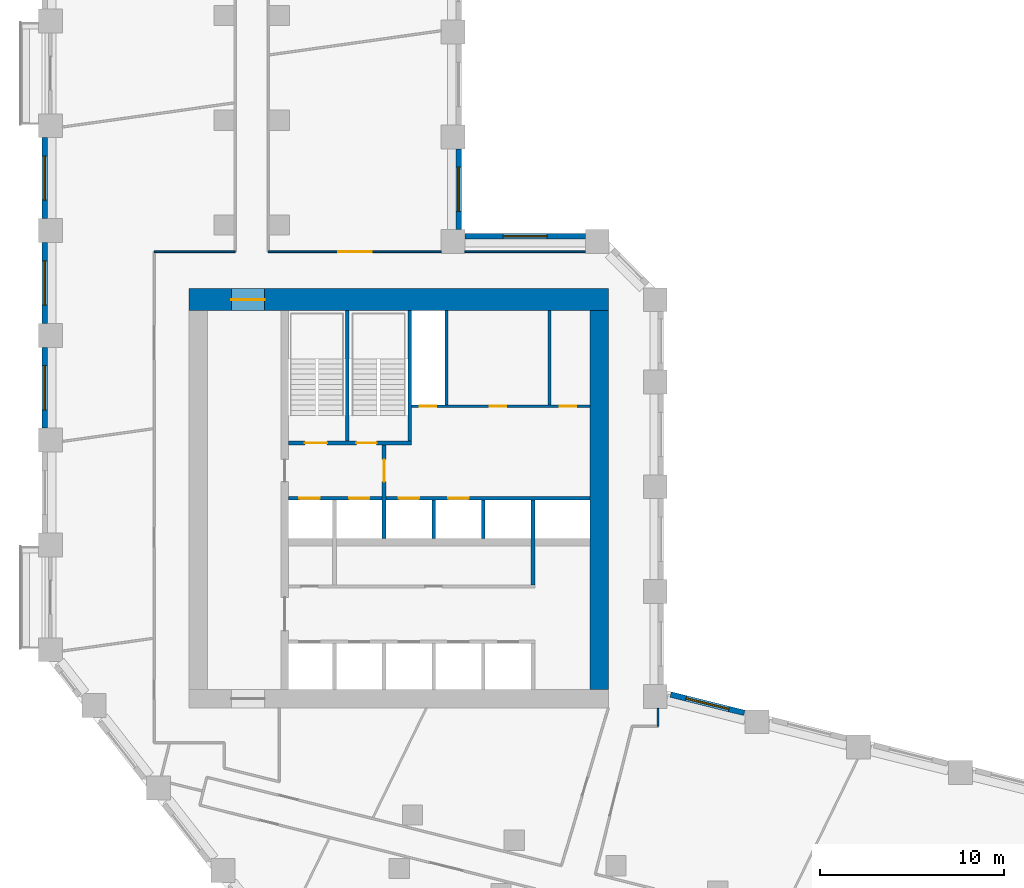
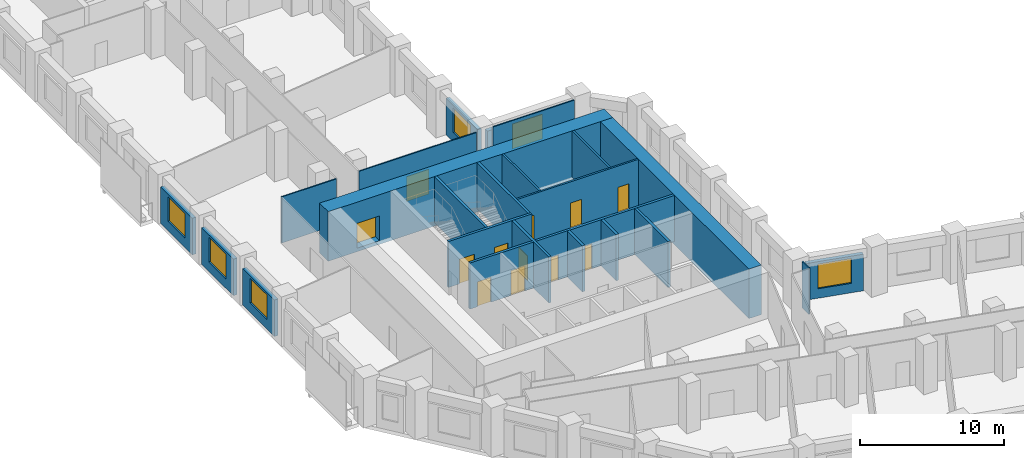
# One storey, part 5 of 11: 23 walls, 12 doors, 6 windows, 18 openings.
"""IFC4 building model written with IfcOpenShell, lengths in metres."""

from ifc_helpers import new_model, si_unit, direction, frame, frame_2d, origin, place, context, subcontext, project, spatial, rectangle, extrude, material, layer, layer_set, type_object, element, fill, save


model = new_model("IFC4")

# Units and contexts
model_context = context("Model", 3, precision=1e-05, world=origin(), true_north=direction((0.0, 1.0)))
body_context = subcontext(model_context, "Body", "Model", "MODEL_VIEW")
ifc_project = project(units=[si_unit("LENGTHUNIT", "METRE"), si_unit("AREAUNIT", "SQUARE_METRE"), si_unit("VOLUMEUNIT", "CUBIC_METRE"), si_unit("PLANEANGLEUNIT", "RADIAN"), si_unit("MASSUNIT", "GRAM", prefix="KILO")], contexts=[model_context])

# Site, building, storey
site_placement = place(None, origin())
site = spatial("IfcSite", under=ifc_project, at=site_placement, CompositionType="ELEMENT")
building_placement = place(site_placement, origin())
building = spatial("IfcBuilding", under=site, at=building_placement, Name="Meshkara Civic Tower", CompositionType="ELEMENT")
storey_placement = place(building_placement, frame((0.0, 0.0, 105.60009765625)))
storey = spatial("IfcBuildingStorey", under=building, at=storey_placement, Name="L23", CompositionType="ELEMENT", Elevation=105.60009765625)

# Wall, openings, doors
ifc_material_1 = material(Name="Blockwork", Category="masonry")
ifc_layer_1 = layer(ifc_material_1, 0.14990234375)
ifc_layer_set_1 = layer_set([ifc_layer_1], Name="Core partition 150")
wall_type_1 = type_object("IfcWallType", Name="Core partition 150", PredefinedType="PARTITIONING", material=ifc_layer_set_1)
wall_1_placement = place(storey_placement, frame((20.10009765625, 30.5, 0.0), z_axis=(0.0, 0.0, 1.0), x_axis=(1.0, 0.0, 0.0)))
wall_1 = element("IfcWall", 1, at=wall_1_placement, inside=storey, type_object=wall_type_1, Name="L23-C010", PredefinedType="PARTITIONING", context=body_context, shape_type="SweptSolid", body=[
    extrude(rectangle(XDim=9.699951171875, YDim=0.14990234375, at=frame_2d((4.85009765625, 0.0))), origin(), (0.0, 0.0, 1.0), 3.89990234375),
])
opening_1_placement = place(wall_1_placement, frame((0.449951171875, 0.0, 0.0)))
opening_1 = element("IfcOpeningElement", 2, at=opening_1_placement, cuts=wall_1, Name="Opening L23-K012", PredefinedType="OPENING", context=body_context, shape_type="SweptSolid", body=[
    extrude(rectangle(XDim=0.89990234375, YDim=2.10009765625, at=frame_2d((0.449951171875, 1.050048828125))), frame((0.0, 0.0849609375, 0.0), z_axis=(0.0, -1.0, 0.0), x_axis=(1.0, 0.0, 0.0)), (0.0, 0.0, 1.0), 0.169921875),
])
opening_2_placement = place(wall_1_placement, frame((4.25, 0.0, 0.0)))
opening_2 = element("IfcOpeningElement", 3, at=opening_2_placement, cuts=wall_1, Name="Opening L23-K013", PredefinedType="OPENING", context=body_context, shape_type="SweptSolid", body=[
    extrude(rectangle(XDim=0.89990234375, YDim=2.10009765625, at=frame_2d((0.449951171875, 1.050048828125))), frame((0.0, 0.0849609375, 0.0), z_axis=(0.0, -1.0, 0.0), x_axis=(1.0, 0.0, 0.0)), (0.0, 0.0, 1.0), 0.169921875),
])
opening_3_placement = place(wall_1_placement, frame((8.050048828125, 0.0, 0.0)))
opening_3 = element("IfcOpeningElement", 4, at=opening_3_placement, cuts=wall_1, Name="Opening L23-K014", PredefinedType="OPENING", context=body_context, shape_type="SweptSolid", body=[
    extrude(rectangle(XDim=0.89990234375, YDim=2.10009765625, at=frame_2d((0.449951171875, 1.050048828125))), frame((0.0, 0.0849609375, 0.0), z_axis=(0.0, -1.0, 0.0), x_axis=(1.0, 0.0, 0.0)), (0.0, 0.0, 1.0), 0.169921875),
])
ifc_material_2 = material(Name="Timber door leaf in steel frame", Category="steel")
door_type_1 = type_object("IfcDoorType", Name="Core room door 900", OperationType="SINGLE_SWING_LEFT", PredefinedType="DOOR", material=ifc_material_2)
door_1_placement = place(opening_2_placement, origin())
door_1 = element("IfcDoor", 5, at=door_1_placement, inside=storey, type_object=door_type_1, Name="L23-K013", OperationType="SINGLE_SWING_RIGHT", OverallHeight=2.10009765625, OverallWidth=0.89990234375, PredefinedType="DOOR", context=body_context, shape_type="SweptSolid", body=[
    extrude(rectangle(XDim=0.89990234375, YDim=2.10009765625, at=frame_2d((0.449951171875, 1.050048828125))), frame((0.0, 0.02490234375, 0.0), z_axis=(0.0, -1.0, 0.0), x_axis=(1.0, 0.0, 0.0)), (0.0, 0.0, 1.0), 0.050048828125),
])
fill(opening_2, door_1)
door_2_placement = place(opening_3_placement, origin())
door_2 = element("IfcDoor", 6, at=door_2_placement, inside=storey, type_object=door_type_1, Name="L23-K014", OperationType="SINGLE_SWING_RIGHT", OverallHeight=2.10009765625, OverallWidth=0.89990234375, PredefinedType="DOOR", context=body_context, shape_type="SweptSolid", body=[
    extrude(rectangle(XDim=0.89990234375, YDim=2.10009765625, at=frame_2d((0.449951171875, 1.050048828125))), frame((0.0, 0.02490234375, 0.0), z_axis=(0.0, -1.0, 0.0), x_axis=(1.0, 0.0, 0.0)), (0.0, 0.0, 1.0), 0.050048828125),
])
fill(opening_3, door_2)
ifc_material_3 = material(Name="Fire-rated door leaf in steel frame", Category="steel")
door_type_2 = type_object("IfcDoorType", Name="Riser door 900", OperationType="SINGLE_SWING_LEFT", PredefinedType="DOOR", material=ifc_material_3)
door_3_placement = place(opening_1_placement, origin())
door_3 = element("IfcDoor", 7, at=door_3_placement, inside=storey, type_object=door_type_2, Name="L23-K012", OperationType="SINGLE_SWING_RIGHT", OverallHeight=2.10009765625, OverallWidth=0.89990234375, PredefinedType="DOOR", context=body_context, shape_type="SweptSolid", body=[
    extrude(rectangle(XDim=0.89990234375, YDim=2.10009765625, at=frame_2d((0.449951171875, 1.050048828125))), frame((0.0, 0.02490234375, 0.0), z_axis=(0.0, -1.0, 0.0), x_axis=(1.0, 0.0, 0.0)), (0.0, 0.0, 1.0), 0.050048828125),
])
fill(opening_1, door_3)

# Walls
for number, where, z_axis, x_axis, name in (
    (8, (22.0, 30.574951171875, 0.0), (0.0, 0.0, 1.0), (0.0, 1.0, 0.0), "L23-C020"),
    (9, (27.60009765625, 30.574951171875, 0.0), (0.0, 0.0, 1.0), (0.0, 1.0, 0.0), "L23-C025"),
):
    element("IfcWall", number, at=place(storey_placement, frame(where, z_axis=z_axis, x_axis=x_axis)), inside=storey, type_object=wall_type_1, Name=name, PredefinedType="PARTITIONING", context=body_context, shape_type="SweptSolid", body=[
        extrude(rectangle(XDim=5.125, YDim=0.14990234375, at=frame_2d((2.5625, 0.0))), origin(), (0.0, 0.0, 1.0), 3.89990234375),
    ])
ifc_material_4 = material(Name="Concrete C70", Category="concrete")
ifc_layer_2 = layer(ifc_material_4, 1.0)
ifc_layer_set_2 = layer_set([ifc_layer_2], Name="Core ring wall 1000 C70")
wall_type_2 = type_object("IfcWallType", Name="Core ring wall 1000 C70", PredefinedType="SHEAR", material=ifc_layer_set_2)
wall_2_placement = place(storey_placement, frame((30.300048828125, 15.10009765625, -0.300048828125), z_axis=(0.0, 0.0, 1.0), x_axis=(0.0, 1.0, 0.0)))
element("IfcWall", 10, at=wall_2_placement, inside=storey, type_object=wall_type_2, Name="L23-C004", PredefinedType="SHEAR", context=body_context, shape_type="SweptSolid", body=[
    extrude(rectangle(XDim=20.599853515625, YDim=1.0, at=frame_2d((10.2998046875, 0.0))), origin(), (0.0, 0.0, 1.0), 4.199951171875),
])

# Wall, opening, door
ifc_material_5 = material(Name="Concrete C70", Category="concrete")
ifc_layer_3 = layer(ifc_material_5, 1.199951171875)
ifc_layer_set_3 = layer_set([ifc_layer_3], Name="Core ring wall 1200 C70")
wall_type_3 = type_object("IfcWallType", Name="Core ring wall 1200 C70", PredefinedType="SHEAR", material=ifc_layer_set_3)
wall_3_placement = place(storey_placement, frame((8.0, 36.300048828125, -0.300048828125), z_axis=(0.0, 0.0, 1.0), x_axis=(1.0, 0.0, 0.0)))
wall_3 = element("IfcWall", 11, at=wall_3_placement, inside=storey, type_object=wall_type_3, Name="L23-C002", PredefinedType="SHEAR", context=body_context, shape_type="SweptSolid", body=[
    extrude(rectangle(XDim=22.800048828125, YDim=1.199951171875, at=frame_2d((11.39990234375, 0.0))), origin(), (0.0, 0.0, 1.0), 4.199951171875),
])
opening_4_placement = place(wall_3_placement, frame((2.300048828125, 0.0, 0.300048828125)))
opening_4 = element("IfcOpeningElement", 12, at=opening_4_placement, cuts=wall_3, Name="Opening L23-K020", PredefinedType="OPENING", context=body_context, shape_type="SweptSolid", body=[
    extrude(rectangle(XDim=1.800048828125, YDim=2.10009765625, at=frame_2d((0.89990234375, 1.050048828125))), frame((0.0, 0.60986328125, 0.0), z_axis=(0.0, -1.0, 0.0), x_axis=(1.0, 0.0, 0.0)), (0.0, 0.0, 1.0), 1.219970703125),
])
ifc_material_6 = material(Name="Fire-rated door leaf in steel frame", Category="steel")
door_type_3 = type_object("IfcDoorType", Name="Core double door 1800 EI 60", OperationType="DOUBLE_DOOR_SINGLE_SWING", PredefinedType="DOOR", material=ifc_material_6)
door_4_placement = place(opening_4_placement, origin())
door_4 = element("IfcDoor", 13, at=door_4_placement, inside=storey, type_object=door_type_3, Name="L23-K020", OperationType="DOUBLE_DOOR_SINGLE_SWING", OverallHeight=2.10009765625, OverallWidth=1.800048828125, PredefinedType="DOOR", context=body_context, shape_type="SweptSolid", body=[
    extrude(rectangle(XDim=1.800048828125, YDim=2.10009765625, at=frame_2d((0.89990234375, 1.050048828125))), frame((0.0, 0.02490234375, 0.0), z_axis=(0.0, -1.0, 0.0), x_axis=(1.0, 0.0, 0.0)), (0.0, 0.0, 1.0), 0.050048828125),
])
fill(opening_4, door_4)

# Wall
ifc_material_7 = material(Name="Corridor wall 100")
ifc_layer_4 = layer(ifc_material_7, 0.10009765625)
ifc_layer_set_4 = layer_set([ifc_layer_4], Name="Corridor wall 100")
wall_type_4 = type_object("IfcWallType", Name="Corridor wall 100", PredefinedType="PARTITIONING", material=ifc_layer_set_4)
wall_4_placement = place(storey_placement, frame((10.5, 38.89990234375, 0.0), z_axis=(0.0, 0.0, 1.0), x_axis=(-1.0, 0.0, 0.0)))
element("IfcWall", 14, at=wall_4_placement, inside=storey, type_object=wall_type_4, Name="L23-W011", PredefinedType="PARTITIONING", context=body_context, shape_type="SweptSolid", body=[
    extrude(rectangle(XDim=4.39990234375, YDim=0.10009765625, at=frame_2d((2.199951171875, 0.0))), origin(), (0.0, 0.0, 1.0), 3.89990234375),
])

# Wall, opening, door
wall_5_placement = place(storey_placement, frame((21.699951171875, 38.89990234375, 0.0), z_axis=(0.0, 0.0, 1.0), x_axis=(-1.0, 0.0, 0.0)))
wall_5 = element("IfcWall", 15, at=wall_5_placement, inside=storey, type_object=wall_type_4, Name="L23-W018", PredefinedType="PARTITIONING", context=body_context, shape_type="SweptSolid", body=[
    extrude(rectangle(XDim=9.39990234375, YDim=0.10009765625, at=frame_2d((4.699951171875, 0.0))), origin(), (0.0, 0.0, 1.0), 3.89990234375),
])
opening_5_placement = place(wall_5_placement, frame((3.780029296875, 0.0, 0.0)))
opening_5 = element("IfcOpeningElement", 16, at=opening_5_placement, cuts=wall_5, Name="Opening L23-D021", PredefinedType="OPENING", context=body_context, shape_type="SweptSolid", body=[
    extrude(rectangle(XDim=1.800048828125, YDim=2.10009765625, at=frame_2d((0.89990234375, 1.050048828125))), frame((0.0, 0.06005859375, 0.0), z_axis=(0.0, -1.0, 0.0), x_axis=(1.0, 0.0, 0.0)), (0.0, 0.0, 1.0), 0.1201171875),
])
ifc_material_8 = material(Name="Door pair 1800 x 2100")
door_type_4 = type_object("IfcDoorType", Name="Door pair 1800 x 2100", OperationType="SINGLE_SWING_LEFT", PredefinedType="DOOR", material=ifc_material_8)
door_5_placement = place(opening_5_placement, origin())
door_5 = element("IfcDoor", 17, at=door_5_placement, inside=storey, type_object=door_type_4, Name="L23-D021", OperationType="DOUBLE_DOOR_SINGLE_SWING", OverallHeight=2.10009765625, OverallWidth=1.800048828125, PredefinedType="DOOR", context=body_context, shape_type="SweptSolid", body=[
    extrude(rectangle(XDim=1.800048828125, YDim=2.10009765625, at=frame_2d((0.89990234375, 1.050048828125))), frame((0.0, 0.02490234375, 0.0), z_axis=(0.0, -1.0, 0.0), x_axis=(1.0, 0.0, 0.0)), (0.0, 0.0, 1.0), 0.050048828125),
])
fill(opening_5, door_5)

# Walls
wall_6_placement = place(storey_placement, frame((29.5439453125, 38.89990234375, 0.0), z_axis=(0.0, 0.0, 1.0), x_axis=(-1.0, 0.0, 0.0)))
element("IfcWall", 18, at=wall_6_placement, inside=storey, type_object=wall_type_4, Name="L23-W019", PredefinedType="PARTITIONING", context=body_context, shape_type="SweptSolid", body=[
    extrude(rectangle(XDim=6.5439453125, YDim=0.10009765625, at=frame_2d((3.27197265625, 0.0))), origin(), (0.0, 0.0, 1.0), 3.89990234375),
])
wall_7_placement = place(storey_placement, frame((33.5, 13.10009765625, 0.0), z_axis=(0.0, 0.0, 1.0), x_axis=(0.0, 1.0, 0.0)))
element("IfcWall", 19, at=wall_7_placement, inside=storey, type_object=wall_type_4, Name="L23-W024", PredefinedType="PARTITIONING", context=body_context, shape_type="SweptSolid", body=[
    extrude(rectangle(XDim=0.968994140625, YDim=0.10009765625, at=frame_2d((0.484375, 0.0))), origin(), (0.0, 0.0, 1.0), 3.89990234375),
])

# Wall, opening, window
ifc_material_9 = material(Name="Insulated infill panel with bronze anodised aluminium cladding", Category="aluminium")
ifc_layer_5 = layer(ifc_material_9, 0.300048828125)
ifc_layer_set_5 = layer_set([ifc_layer_5], Name="EXTERNAL INFILL WALL 300")
wall_type_5 = type_object("IfcWallType", Name="EXTERNAL INFILL WALL 300", PredefinedType="SOLIDWALL", material=ifc_layer_set_5)
wall_8_placement = place(storey_placement, frame((38.18896484375, 13.822021484375, 0.0), z_axis=(0.0, 0.0, 1.0), x_axis=(-0.970281616392, 0.241978480223, 0.0)))
wall_8 = element("IfcWall", 20, at=wall_8_placement, inside=storey, type_object=wall_type_5, Name="External wall", PredefinedType="SOLIDWALL", context=body_context, shape_type="SweptSolid", body=[
    extrude(rectangle(XDim=4.12451171875, YDim=0.300048828125, at=frame_2d((2.062255859375, 0.0))), origin(), (0.0, 0.0, 1.0), 3.099853515625),
])
opening_6_placement = place(wall_8_placement, frame((0.862060546875, 0.0, 0.800048828125)))
opening_6 = element("IfcOpeningElement", 21, at=opening_6_placement, cuts=wall_8, Name="Opening W7", PredefinedType="OPENING", context=body_context, shape_type="SweptSolid", body=[
    extrude(rectangle(XDim=2.39990234375, YDim=2.10009765625, at=frame_2d((1.199951171875, 1.050048828125))), frame((0.0, 0.159912109375, 0.0), z_axis=(0.0, -1.0, 0.0), x_axis=(1.0, 0.0, 0.0)), (0.0, 0.0, 1.0), 0.320068359375),
])
ifc_material_10 = material(Name="Tinted double glazing", Category="glass")
window_type = type_object("IfcWindowType", Name="WINDOW 2400x2100", PartitioningType="DOUBLE_PANEL_VERTICAL", PredefinedType="WINDOW", material=ifc_material_10)
window_1_placement = place(opening_6_placement, origin())
window_1 = element("IfcWindow", 22, at=window_1_placement, inside=storey, type_object=window_type, Name="Window", OverallHeight=2.10009765625, OverallWidth=2.39990234375, PartitioningType="DOUBLE_PANEL_VERTICAL", PredefinedType="WINDOW", context=body_context, shape_type="SweptSolid", body=[
    extrude(rectangle(XDim=2.39990234375, YDim=2.10009765625, at=frame_2d((1.199951171875, 1.050048828125))), frame((0.0, 0.030029296875, 0.0), z_axis=(0.0, -1.0, 0.0), x_axis=(1.0, 0.0, 0.0)), (0.0, 0.0, 1.0), 0.06005859375),
])
fill(opening_6, window_1)

wall_9_placement = place(storey_placement, frame((29.5439453125, 39.75, 0.0), z_axis=(0.0, 0.0, 1.0), x_axis=(-1.0, 0.0, 0.0)))
wall_9 = element("IfcWall", 23, at=wall_9_placement, inside=storey, type_object=wall_type_5, Name="External wall", PredefinedType="SOLIDWALL", context=body_context, shape_type="SweptSolid", body=[
    extrude(rectangle(XDim=6.5439453125, YDim=0.300048828125, at=frame_2d((3.27197265625, 0.0))), origin(), (0.0, 0.0, 1.0), 3.099853515625),
])
opening_7_placement = place(wall_9_placement, frame((2.072021484375, 0.0, 0.800048828125)))
opening_7 = element("IfcOpeningElement", 24, at=opening_7_placement, cuts=wall_9, Name="Opening W7", PredefinedType="OPENING", context=body_context, shape_type="SweptSolid", body=[
    extrude(rectangle(XDim=2.39990234375, YDim=2.10009765625, at=frame_2d((1.199951171875, 1.050048828125))), frame((0.0, 0.159912109375, 0.0), z_axis=(0.0, -1.0, 0.0), x_axis=(1.0, 0.0, 0.0)), (0.0, 0.0, 1.0), 0.320068359375),
])
window_2_placement = place(opening_7_placement, origin())
window_2 = element("IfcWindow", 25, at=window_2_placement, inside=storey, type_object=window_type, Name="Window", OverallHeight=2.10009765625, OverallWidth=2.39990234375, PartitioningType="DOUBLE_PANEL_VERTICAL", PredefinedType="WINDOW", context=body_context, shape_type="SweptSolid", body=[
    extrude(rectangle(XDim=2.39990234375, YDim=2.10009765625, at=frame_2d((1.199951171875, 1.050048828125))), frame((0.0, 0.030029296875, 0.0), z_axis=(0.0, -1.0, 0.0), x_axis=(1.0, 0.0, 0.0)), (0.0, 0.0, 1.0), 0.06005859375),
])
fill(opening_7, window_2)

wall_10_placement = place(storey_placement, frame((22.64990234375, 40.10009765625, 0.0), z_axis=(0.0, 0.0, 1.0), x_axis=(0.0, 1.0, 0.0)))
wall_10 = element("IfcWall", 26, at=wall_10_placement, inside=storey, type_object=wall_type_5, Name="External wall", PredefinedType="SOLIDWALL", context=body_context, shape_type="SweptSolid", body=[
    extrude(rectangle(XDim=4.39990234375, YDim=0.300048828125, at=frame_2d((2.199951171875, 0.0))), origin(), (0.0, 0.0, 1.0), 3.099853515625),
])
opening_8_placement = place(wall_10_placement, frame((1.0, 0.0, 0.800048828125)))
opening_8 = element("IfcOpeningElement", 27, at=opening_8_placement, cuts=wall_10, Name="Opening W7", PredefinedType="OPENING", context=body_context, shape_type="SweptSolid", body=[
    extrude(rectangle(XDim=2.39990234375, YDim=2.10009765625, at=frame_2d((1.199951171875, 1.050048828125))), frame((0.0, 0.159912109375, 0.0), z_axis=(0.0, -1.0, 0.0), x_axis=(1.0, 0.0, 0.0)), (0.0, 0.0, 1.0), 0.320068359375),
])
window_3_placement = place(opening_8_placement, origin())
window_3 = element("IfcWindow", 28, at=window_3_placement, inside=storey, type_object=window_type, Name="Window", OverallHeight=2.10009765625, OverallWidth=2.39990234375, PartitioningType="DOUBLE_PANEL_VERTICAL", PredefinedType="WINDOW", context=body_context, shape_type="SweptSolid", body=[
    extrude(rectangle(XDim=2.39990234375, YDim=2.10009765625, at=frame_2d((1.199951171875, 1.050048828125))), frame((0.0, 0.030029296875, 0.0), z_axis=(0.0, -1.0, 0.0), x_axis=(1.0, 0.0, 0.0)), (0.0, 0.0, 1.0), 0.06005859375),
])
fill(opening_8, window_3)

wall_11_placement = place(storey_placement, frame((0.14990234375, 45.10498046875, 0.0), z_axis=(0.0, 0.0, 1.0), x_axis=(0.0, -1.0, 0.0)))
wall_11 = element("IfcWall", 29, at=wall_11_placement, inside=storey, type_object=wall_type_5, Name="External wall", PredefinedType="SOLIDWALL", context=body_context, shape_type="SweptSolid", body=[
    extrude(rectangle(XDim=4.39990234375, YDim=0.300048828125, at=frame_2d((2.199951171875, 0.0))), origin(), (0.0, 0.0, 1.0), 3.099853515625),
])
opening_9_placement = place(wall_11_placement, frame((1.0, 0.0, 0.800048828125)))
opening_9 = element("IfcOpeningElement", 30, at=opening_9_placement, cuts=wall_11, Name="Opening W7", PredefinedType="OPENING", context=body_context, shape_type="SweptSolid", body=[
    extrude(rectangle(XDim=2.39990234375, YDim=2.10009765625, at=frame_2d((1.199951171875, 1.050048828125))), frame((0.0, 0.159912109375, 0.0), z_axis=(0.0, -1.0, 0.0), x_axis=(1.0, 0.0, 0.0)), (0.0, 0.0, 1.0), 0.320068359375),
])
window_4_placement = place(opening_9_placement, origin())
window_4 = element("IfcWindow", 31, at=window_4_placement, inside=storey, type_object=window_type, Name="Window", OverallHeight=2.10009765625, OverallWidth=2.39990234375, PartitioningType="DOUBLE_PANEL_VERTICAL", PredefinedType="WINDOW", context=body_context, shape_type="SweptSolid", body=[
    extrude(rectangle(XDim=2.39990234375, YDim=2.10009765625, at=frame_2d((1.199951171875, 1.050048828125))), frame((0.0, 0.030029296875, 0.0), z_axis=(0.0, -1.0, 0.0), x_axis=(1.0, 0.0, 0.0)), (0.0, 0.0, 1.0), 0.06005859375),
])
fill(opening_9, window_4)

wall_12_placement = place(storey_placement, frame((0.14990234375, 39.405029296875, 0.0), z_axis=(0.0, 0.0, 1.0), x_axis=(0.0, -1.0, 0.0)))
wall_12 = element("IfcWall", 32, at=wall_12_placement, inside=storey, type_object=wall_type_5, Name="External wall", PredefinedType="SOLIDWALL", context=body_context, shape_type="SweptSolid", body=[
    extrude(rectangle(XDim=4.400146484375, YDim=0.300048828125, at=frame_2d((2.2001953125, 0.0))), origin(), (0.0, 0.0, 1.0), 3.099853515625),
])
opening_10_placement = place(wall_12_placement, frame((1.0, 0.0, 0.800048828125)))
opening_10 = element("IfcOpeningElement", 33, at=opening_10_placement, cuts=wall_12, Name="Opening W7", PredefinedType="OPENING", context=body_context, shape_type="SweptSolid", body=[
    extrude(rectangle(XDim=2.39990234375, YDim=2.10009765625, at=frame_2d((1.199951171875, 1.050048828125))), frame((0.0, 0.159912109375, 0.0), z_axis=(0.0, -1.0, 0.0), x_axis=(1.0, 0.0, 0.0)), (0.0, 0.0, 1.0), 0.320068359375),
])
window_5_placement = place(opening_10_placement, origin())
window_5 = element("IfcWindow", 34, at=window_5_placement, inside=storey, type_object=window_type, Name="Window", OverallHeight=2.10009765625, OverallWidth=2.39990234375, PartitioningType="DOUBLE_PANEL_VERTICAL", PredefinedType="WINDOW", context=body_context, shape_type="SweptSolid", body=[
    extrude(rectangle(XDim=2.39990234375, YDim=2.10009765625, at=frame_2d((1.199951171875, 1.050048828125))), frame((0.0, 0.030029296875, 0.0), z_axis=(0.0, -1.0, 0.0), x_axis=(1.0, 0.0, 0.0)), (0.0, 0.0, 1.0), 0.06005859375),
])
fill(opening_10, window_5)

wall_13_placement = place(storey_placement, frame((0.14990234375, 33.705078125, 0.0), z_axis=(0.0, 0.0, 1.0), x_axis=(0.0, -1.0, 0.0)))
wall_13 = element("IfcWall", 35, at=wall_13_placement, inside=storey, type_object=wall_type_5, Name="External wall", PredefinedType="SOLIDWALL", context=body_context, shape_type="SweptSolid", body=[
    extrude(rectangle(XDim=4.400146484375, YDim=0.300048828125, at=frame_2d((2.2001953125, 0.0))), origin(), (0.0, 0.0, 1.0), 3.099853515625),
])
opening_11_placement = place(wall_13_placement, frame((1.0, 0.0, 0.800048828125)))
opening_11 = element("IfcOpeningElement", 36, at=opening_11_placement, cuts=wall_13, Name="Opening W7", PredefinedType="OPENING", context=body_context, shape_type="SweptSolid", body=[
    extrude(rectangle(XDim=2.39990234375, YDim=2.10009765625, at=frame_2d((1.199951171875, 1.050048828125))), frame((0.0, 0.159912109375, 0.0), z_axis=(0.0, -1.0, 0.0), x_axis=(1.0, 0.0, 0.0)), (0.0, 0.0, 1.0), 0.320068359375),
])
window_6_placement = place(opening_11_placement, origin())
window_6 = element("IfcWindow", 37, at=window_6_placement, inside=storey, type_object=window_type, Name="Window", OverallHeight=2.10009765625, OverallWidth=2.39990234375, PartitioningType="DOUBLE_PANEL_VERTICAL", PredefinedType="WINDOW", context=body_context, shape_type="SweptSolid", body=[
    extrude(rectangle(XDim=2.39990234375, YDim=2.10009765625, at=frame_2d((1.199951171875, 1.050048828125))), frame((0.0, 0.030029296875, 0.0), z_axis=(0.0, -1.0, 0.0), x_axis=(1.0, 0.0, 0.0)), (0.0, 0.0, 1.0), 0.06005859375),
])
fill(opening_11, window_6)

# Wall, openings, doors
ifc_material_11 = material(Name="Concrete C40/50", Category="concrete")
ifc_layer_6 = layer(ifc_material_11, 0.199951171875)
ifc_layer_set_6 = layer_set([ifc_layer_6], Name="Shaft wall 200 C40/50")
wall_type_6 = type_object("IfcWallType", Name="Shaft wall 200 C40/50", PredefinedType="SOLIDWALL", material=ifc_layer_set_6)
wall_14_placement = place(storey_placement, frame((13.39990234375, 25.5, 0.0), z_axis=(0.0, 0.0, 1.0), x_axis=(1.0, 0.0, 0.0)))
wall_14 = element("IfcWall", 38, at=wall_14_placement, inside=storey, type_object=wall_type_6, Name="L23-C008", PredefinedType="SOLIDWALL", context=body_context, shape_type="SweptSolid", body=[
    extrude(rectangle(XDim=16.400146484375, YDim=0.199951171875, at=frame_2d((8.2001953125, 0.0))), origin(), (0.0, 0.0, 1.0), 3.89990234375),
])
opening_12_placement = place(wall_14_placement, frame((0.60009765625, 0.0, 0.0)))
opening_12 = element("IfcOpeningElement", 39, at=opening_12_placement, cuts=wall_14, Name="Opening L23-K006", PredefinedType="OPENING", context=body_context, shape_type="SweptSolid", body=[
    extrude(rectangle(XDim=1.10009765625, YDim=2.10009765625, at=frame_2d((0.550048828125, 1.050048828125))), frame((0.0, 0.10986328125, 0.0), z_axis=(0.0, -1.0, 0.0), x_axis=(1.0, 0.0, 0.0)), (0.0, 0.0, 1.0), 0.219970703125),
])
opening_13_placement = place(wall_14_placement, frame((3.300048828125, 0.0, 0.0)))
opening_13 = element("IfcOpeningElement", 40, at=opening_13_placement, cuts=wall_14, Name="Opening L23-K007", PredefinedType="OPENING", context=body_context, shape_type="SweptSolid", body=[
    extrude(rectangle(XDim=1.10009765625, YDim=2.10009765625, at=frame_2d((0.550048828125, 1.050048828125))), frame((0.0, 0.10986328125, 0.0), z_axis=(0.0, -1.0, 0.0), x_axis=(1.0, 0.0, 0.0)), (0.0, 0.0, 1.0), 0.219970703125),
])
opening_14_placement = place(wall_14_placement, frame((6.0, 0.0, 0.0)))
opening_14 = element("IfcOpeningElement", 41, at=opening_14_placement, cuts=wall_14, Name="Opening L23-K008", PredefinedType="OPENING", context=body_context, shape_type="SweptSolid", body=[
    extrude(rectangle(XDim=1.10009765625, YDim=2.10009765625, at=frame_2d((0.550048828125, 1.050048828125))), frame((0.0, 0.10986328125, 0.0), z_axis=(0.0, -1.0, 0.0), x_axis=(1.0, 0.0, 0.0)), (0.0, 0.0, 1.0), 0.219970703125),
])
opening_15_placement = place(wall_14_placement, frame((8.699951171875, 0.0, 0.0)))
opening_15 = element("IfcOpeningElement", 42, at=opening_15_placement, cuts=wall_14, Name="Opening L23-K009", PredefinedType="OPENING", context=body_context, shape_type="SweptSolid", body=[
    extrude(rectangle(XDim=1.10009765625, YDim=2.10009765625, at=frame_2d((0.550048828125, 1.050048828125))), frame((0.0, 0.10986328125, 0.0), z_axis=(0.0, -1.0, 0.0), x_axis=(1.0, 0.0, 0.0)), (0.0, 0.0, 1.0), 0.219970703125),
])
ifc_material_12 = material(Name="Stainless steel landing door", Category="steel")
door_type_5 = type_object("IfcDoorType", Name="Lift landing door 1100", OperationType="SLIDING_TO_LEFT", PredefinedType="DOOR", material=ifc_material_12)
door_6_placement = place(opening_12_placement, origin())
door_6 = element("IfcDoor", 43, at=door_6_placement, inside=storey, type_object=door_type_5, Name="L23-K006", OperationType="SLIDING_TO_LEFT", OverallHeight=2.10009765625, OverallWidth=1.10009765625, PredefinedType="DOOR", context=body_context, shape_type="SweptSolid", body=[
    extrude(rectangle(XDim=1.10009765625, YDim=2.10009765625, at=frame_2d((0.550048828125, 1.050048828125))), frame((0.0, 0.02490234375, 0.0), z_axis=(0.0, -1.0, 0.0), x_axis=(1.0, 0.0, 0.0)), (0.0, 0.0, 1.0), 0.050048828125),
])
fill(opening_12, door_6)
door_7_placement = place(opening_13_placement, origin())
door_7 = element("IfcDoor", 44, at=door_7_placement, inside=storey, type_object=door_type_5, Name="L23-K007", OperationType="SLIDING_TO_LEFT", OverallHeight=2.10009765625, OverallWidth=1.10009765625, PredefinedType="DOOR", context=body_context, shape_type="SweptSolid", body=[
    extrude(rectangle(XDim=1.10009765625, YDim=2.10009765625, at=frame_2d((0.550048828125, 1.050048828125))), frame((0.0, 0.02490234375, 0.0), z_axis=(0.0, -1.0, 0.0), x_axis=(1.0, 0.0, 0.0)), (0.0, 0.0, 1.0), 0.050048828125),
])
fill(opening_13, door_7)
door_8_placement = place(opening_14_placement, origin())
door_8 = element("IfcDoor", 45, at=door_8_placement, inside=storey, type_object=door_type_5, Name="L23-K008", OperationType="SLIDING_TO_LEFT", OverallHeight=2.10009765625, OverallWidth=1.10009765625, PredefinedType="DOOR", context=body_context, shape_type="SweptSolid", body=[
    extrude(rectangle(XDim=1.10009765625, YDim=2.10009765625, at=frame_2d((0.550048828125, 1.050048828125))), frame((0.0, 0.02490234375, 0.0), z_axis=(0.0, -1.0, 0.0), x_axis=(1.0, 0.0, 0.0)), (0.0, 0.0, 1.0), 0.050048828125),
])
fill(opening_14, door_8)
door_9_placement = place(opening_15_placement, origin())
door_9 = element("IfcDoor", 46, at=door_9_placement, inside=storey, type_object=door_type_5, Name="L23-K009", OperationType="SLIDING_TO_LEFT", OverallHeight=2.10009765625, OverallWidth=1.10009765625, PredefinedType="DOOR", context=body_context, shape_type="SweptSolid", body=[
    extrude(rectangle(XDim=1.10009765625, YDim=2.10009765625, at=frame_2d((0.550048828125, 1.050048828125))), frame((0.0, 0.02490234375, 0.0), z_axis=(0.0, -1.0, 0.0), x_axis=(1.0, 0.0, 0.0)), (0.0, 0.0, 1.0), 0.050048828125),
])
fill(opening_15, door_9)

# Wall, opening, door
wall_15_placement = place(storey_placement, frame((18.60009765625, 23.300048828125, 0.0), z_axis=(0.0, 0.0, 1.0), x_axis=(0.0, 1.0, 0.0)))
wall_15 = element("IfcWall", 47, at=wall_15_placement, inside=storey, type_object=wall_type_6, Name="L23-C016", PredefinedType="SOLIDWALL", context=body_context, shape_type="SweptSolid", body=[
    extrude(rectangle(XDim=5.099853515625, YDim=0.199951171875, at=frame_2d((2.5498046875, 0.0))), origin(), (0.0, 0.0, 1.0), 3.89990234375),
])
opening_16_placement = place(wall_15_placement, frame((3.10009765625, 0.0, 0.0)))
opening_16 = element("IfcOpeningElement", 48, at=opening_16_placement, cuts=wall_15, Name="Opening L23-K019", PredefinedType="OPENING", context=body_context, shape_type="SweptSolid", body=[
    extrude(rectangle(XDim=1.199951171875, YDim=2.10009765625, at=frame_2d((0.60009765625, 1.050048828125))), frame((0.0, 0.10986328125, 0.0), z_axis=(0.0, -1.0, 0.0), x_axis=(1.0, 0.0, 0.0)), (0.0, 0.0, 1.0), 0.219970703125),
])
ifc_material_13 = material(Name="Fire-rated door leaf in steel frame", Category="steel")
door_type_6 = type_object("IfcDoorType", Name="Fire-fighting lobby door 1200 EI 120", OperationType="SINGLE_SWING_LEFT", PredefinedType="DOOR", material=ifc_material_13)
door_10_placement = place(opening_16_placement, origin())
door_10 = element("IfcDoor", 49, at=door_10_placement, inside=storey, type_object=door_type_6, Name="L23-K019", OperationType="SINGLE_SWING_RIGHT", OverallHeight=2.10009765625, OverallWidth=1.199951171875, PredefinedType="DOOR", context=body_context, shape_type="SweptSolid", body=[
    extrude(rectangle(XDim=1.199951171875, YDim=2.10009765625, at=frame_2d((0.60009765625, 1.050048828125))), frame((0.0, 0.02490234375, 0.0), z_axis=(0.0, -1.0, 0.0), x_axis=(1.0, 0.0, 0.0)), (0.0, 0.0, 1.0), 0.050048828125),
])
fill(opening_16, door_10)

# Walls
for number, where, z_axis, x_axis, name in (
    (50, (21.300048828125, 23.300048828125, 0.0), (0.0, 0.0, 1.0), (0.0, 1.0, 0.0), "L23-C019"),
    (51, (24.0, 23.300048828125, 0.0), (0.0, 0.0, 1.0), (0.0, 1.0, 0.0), "L23-C022"),
):
    element("IfcWall", number, at=place(storey_placement, frame(where, z_axis=z_axis, x_axis=x_axis)), inside=storey, type_object=wall_type_6, Name=name, PredefinedType="SOLIDWALL", context=body_context, shape_type="SweptSolid", body=[
        extrude(rectangle(XDim=2.099853515625, YDim=0.199951171875, at=frame_2d((1.0498046875, 0.0))), origin(), (0.0, 0.0, 1.0), 3.89990234375),
    ])
wall_16_placement = place(storey_placement, frame((26.699951171875, 20.77490234375, 0.0), z_axis=(0.0, 0.0, 1.0), x_axis=(0.0, 1.0, 0.0)))
element("IfcWall", 52, at=wall_16_placement, inside=storey, type_object=wall_type_6, Name="L23-C024", PredefinedType="SOLIDWALL", context=body_context, shape_type="SweptSolid", body=[
    extrude(rectangle(XDim=4.625, YDim=0.199951171875, at=frame_2d((2.3125, 0.0))), origin(), (0.0, 0.0, 1.0), 3.89990234375),
])

# Wall, openings, doors
ifc_material_14 = material(Name="Concrete C40/50", Category="concrete")
ifc_layer_7 = layer(ifc_material_14, 0.199951171875)
ifc_layer_set_7 = layer_set([ifc_layer_7], Name="Stair enclosure wall 200 C40/50")
wall_type_7 = type_object("IfcWallType", Name="Stair enclosure wall 200 C40/50", PredefinedType="SOLIDWALL", material=ifc_layer_set_7)
wall_17_placement = place(storey_placement, frame((13.39990234375, 28.5, 0.0), z_axis=(0.0, 0.0, 1.0), x_axis=(1.0, 0.0, 0.0)))
wall_17 = element("IfcWall", 53, at=wall_17_placement, inside=storey, type_object=wall_type_7, Name="L23-C009", PredefinedType="SOLIDWALL", context=body_context, shape_type="SweptSolid", body=[
    extrude(rectangle(XDim=6.7001953125, YDim=0.199951171875, at=frame_2d((3.35009765625, 0.0))), origin(), (0.0, 0.0, 1.0), 3.89990234375),
])
opening_17_placement = place(wall_17_placement, frame((0.89990234375, 0.0, 0.0)))
opening_17 = element("IfcOpeningElement", 54, at=opening_17_placement, cuts=wall_17, Name="Opening L23-K015", PredefinedType="OPENING", context=body_context, shape_type="SweptSolid", body=[
    extrude(rectangle(XDim=1.199951171875, YDim=2.10009765625, at=frame_2d((0.60009765625, 1.050048828125))), frame((0.0, 0.10986328125, 0.0), z_axis=(0.0, -1.0, 0.0), x_axis=(1.0, 0.0, 0.0)), (0.0, 0.0, 1.0), 0.219970703125),
])
opening_18_placement = place(wall_17_placement, frame((3.699951171875, 0.0, 0.0)))
opening_18 = element("IfcOpeningElement", 55, at=opening_18_placement, cuts=wall_17, Name="Opening L23-K016", PredefinedType="OPENING", context=body_context, shape_type="SweptSolid", body=[
    extrude(rectangle(XDim=1.10009765625, YDim=2.10009765625, at=frame_2d((0.550048828125, 1.050048828125))), frame((0.0, 0.10986328125, 0.0), z_axis=(0.0, -1.0, 0.0), x_axis=(1.0, 0.0, 0.0)), (0.0, 0.0, 1.0), 0.219970703125),
])
ifc_material_15 = material(Name="Fire-rated door leaf in steel frame", Category="steel")
door_type_7 = type_object("IfcDoorType", Name="Stair door 1100 EI 120", OperationType="SINGLE_SWING_LEFT", PredefinedType="DOOR", material=ifc_material_15)
door_11_placement = place(opening_18_placement, origin())
door_11 = element("IfcDoor", 56, at=door_11_placement, inside=storey, type_object=door_type_7, Name="L23-K016", OperationType="SINGLE_SWING_LEFT", OverallHeight=2.10009765625, OverallWidth=1.10009765625, PredefinedType="DOOR", context=body_context, shape_type="SweptSolid", body=[
    extrude(rectangle(XDim=1.10009765625, YDim=2.10009765625, at=frame_2d((0.550048828125, 1.050048828125))), frame((0.0, 0.02490234375, 0.0), z_axis=(0.0, -1.0, 0.0), x_axis=(1.0, 0.0, 0.0)), (0.0, 0.0, 1.0), 0.050048828125),
])
fill(opening_18, door_11)
ifc_material_16 = material(Name="Fire-rated door leaf in steel frame", Category="steel")
door_type_8 = type_object("IfcDoorType", Name="Stair door 1200 EI 120", OperationType="SINGLE_SWING_LEFT", PredefinedType="DOOR", material=ifc_material_16)
door_12_placement = place(opening_17_placement, origin())
door_12 = element("IfcDoor", 57, at=door_12_placement, inside=storey, type_object=door_type_8, Name="L23-K015", OperationType="SINGLE_SWING_RIGHT", OverallHeight=2.10009765625, OverallWidth=1.199951171875, PredefinedType="DOOR", context=body_context, shape_type="SweptSolid", body=[
    extrude(rectangle(XDim=1.199951171875, YDim=2.10009765625, at=frame_2d((0.60009765625, 1.050048828125))), frame((0.0, 0.02490234375, 0.0), z_axis=(0.0, -1.0, 0.0), x_axis=(1.0, 0.0, 0.0)), (0.0, 0.0, 1.0), 0.050048828125),
])
fill(opening_17, door_12)

# Walls
for number, where, z_axis, x_axis, name in (
    (58, (16.60009765625, 28.60009765625, 0.0), (0.0, 0.0, 1.0), (0.0, 1.0, 0.0), "L23-C014"),
    (59, (20.0, 28.60009765625, 0.0), (0.0, 0.0, 1.0), (0.0, 1.0, 0.0), "L23-C017"),
):
    element("IfcWall", number, at=place(storey_placement, frame(where, z_axis=z_axis, x_axis=x_axis)), inside=storey, type_object=wall_type_7, Name=name, PredefinedType="SOLIDWALL", context=body_context, shape_type="SweptSolid", body=[
        extrude(rectangle(XDim=7.099853515625, YDim=0.199951171875, at=frame_2d((3.5498046875, 0.0))), origin(), (0.0, 0.0, 1.0), 3.89990234375),
    ])

save(model, "model.ifc")
